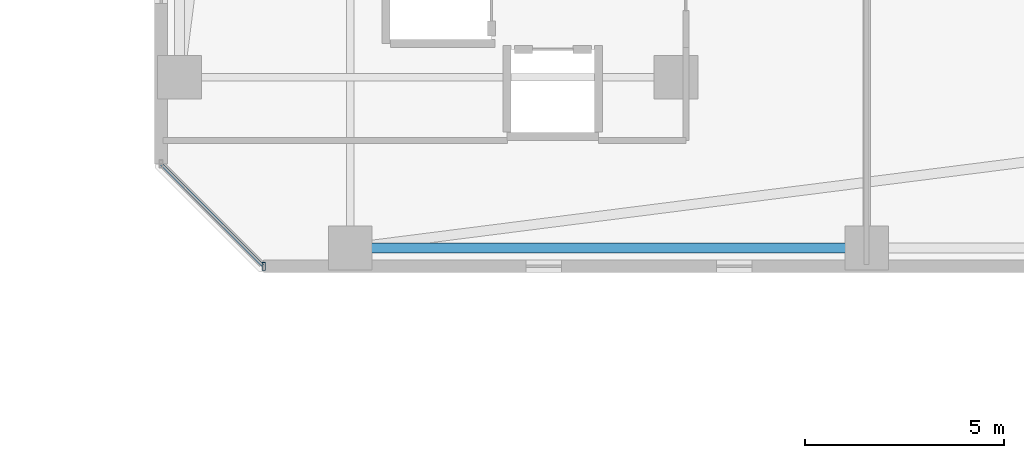
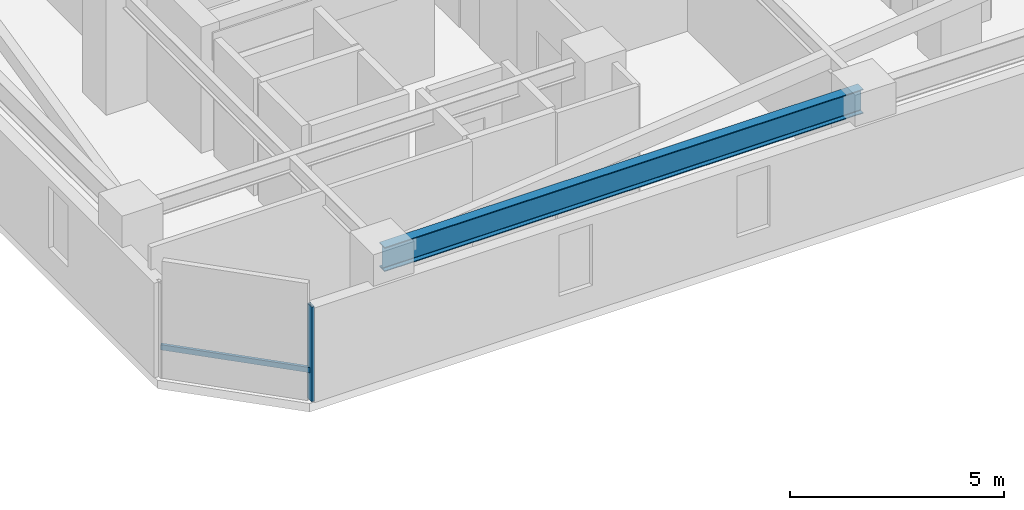
# One storey, part 12 of 33: 2 members, 1 beam, 1 element without a shape of its own.
"""IFC4 building model written with IfcOpenShell, lengths in metres."""

import ifcopenshell
import ifcopenshell.guid

model = None  # the IFC model being written
_history = None  # IfcOwnerHistory: only IFC2X3 demands one
_inside = {}  # id of a spatial element -> (the spatial element, [elements in it])
_under = {}  # id of a project, library or spatial element -> (it, [spatial elements below it])
_declared = {}  # id of a project -> (the project, [libraries it declares])
_typed = {}  # id of a type object -> (the type object, [elements of that type])
_made_of = {}  # id of a material, layer set ... -> (it, [elements and type objects made of it])


def new_model(schema):
    """Start an empty IFC model of exactly this schema.

    Asked for "IFC4X3", IfcOpenShell would pick the latest addendum, in which some entities
    have other attributes; the version numbers below select the first issue.
    IFC2X3 requires an IfcOwnerHistory on every rooted entity: one is made here for all.
    """
    global model, _history
    if schema == "IFC4X3":
        model = ifcopenshell.file(schema_version=(4, 3, 0, 0))
    else:
        model = ifcopenshell.file(schema=schema)
    _inside.clear()
    _under.clear()
    _declared.clear()
    _typed.clear()
    _made_of.clear()
    _history = None
    if model.schema == "IFC2X3":
        org = make("IfcOrganization", Name="unknown")
        user = make(
            "IfcPersonAndOrganization",
            ThePerson=make("IfcPerson", FamilyName="unknown"),
            TheOrganization=org,
        )
        app = make(
            "IfcApplication",
            ApplicationDeveloper=org,
            Version="unknown",
            ApplicationFullName="unknown",
            ApplicationIdentifier="unknown",
        )
        _history = make(
            "IfcOwnerHistory",
            OwningUser=user,
            OwningApplication=app,
            ChangeAction="ADDED",
            CreationDate=0,
        )
    return model


def make(cls, **values):
    """One entity of the class cls with the attributes given. An attribute that is None is left unset."""
    return model.create_entity(
        cls, **{name: value for name, value in values.items() if value is not None}
    )


def rooted(cls, **values):
    """An entity with a GlobalId (a new one), such as an element, a storey or a relation."""
    return make(cls, GlobalId=ifcopenshell.guid.new(), OwnerHistory=_history, **values)


def si_unit(unit_type, name, prefix=None):
    """IfcSIUnit, for example si_unit("LENGTHUNIT", "METRE", prefix="MILLI")."""
    return make("IfcSIUnit", UnitType=unit_type, Prefix=prefix, Name=name)


def assignment(units):
    """IfcUnitAssignment: the units of a project."""
    return None if units is None else make("IfcUnitAssignment", Units=units)


def point(xyz):
    """IfcCartesianPoint."""
    return None if xyz is None else make("IfcCartesianPoint", Coordinates=xyz)


def direction(xyz):
    """IfcDirection."""
    return None if xyz is None else make("IfcDirection", DirectionRatios=xyz)


def frame(location, z_axis=None, x_axis=None):
    """IfcAxis2Placement3D, a coordinate frame: its origin and axes. An axis left out is left unset."""
    return make(
        "IfcAxis2Placement3D",
        Location=point(location),
        Axis=direction(z_axis),
        RefDirection=direction(x_axis),
    )


def frame_2d(location, x_axis=None):
    """IfcAxis2Placement2D, a coordinate frame in the plane: its origin and x axis."""
    return make(
        "IfcAxis2Placement2D", Location=point(location), RefDirection=direction(x_axis)
    )


def origin():
    """The frame at (0, 0, 0) with its axes left unset."""
    return frame((0.0, 0.0, 0.0))


def origin_2d():
    """The frame at (0, 0) in the plane with its x axis left unset."""
    return frame_2d((0.0, 0.0))


def place(relative_to, where):
    """IfcLocalPlacement: puts the frame where relative to a parent placement (None: the world)."""
    return make(
        "IfcLocalPlacement", PlacementRelTo=relative_to, RelativePlacement=where
    )


def context(
    kind, dimensions, precision=None, world=None, true_north=None, identifier=None
):
    """IfcGeometricRepresentationContext, for example the 3D "Model" context."""
    return make(
        "IfcGeometricRepresentationContext",
        ContextIdentifier=identifier,
        ContextType=kind,
        CoordinateSpaceDimension=dimensions,
        Precision=precision,
        WorldCoordinateSystem=world,
        TrueNorth=true_north,
    )


def subcontext(parent, identifier, kind, view, scale=None):
    """IfcGeometricRepresentationSubContext, for example "Body" below "Model"."""
    return make(
        "IfcGeometricRepresentationSubContext",
        ContextIdentifier=identifier,
        ContextType=kind,
        ParentContext=parent,
        TargetScale=scale,
        TargetView=view,
    )


def project(units=None, contexts=None):
    """IfcProject with its units and contexts."""
    return rooted(
        "IfcProject",
        Name="project",
        RepresentationContexts=contexts,
        UnitsInContext=assignment(units),
    )


def spatial(cls, under=None, at=None, **own):
    """A site, building, storey or space (cls), placed at a placement, below another one or the project."""
    s = rooted(cls, ObjectPlacement=at, **own)
    if under is not None:
        _under.setdefault(under.id(), (under, []))[1].append(s)
    return s


def profile(cls, at=None, kind="AREA", **sizes):
    """A parametric profile (cls). Its sizes go by their IFC names, for example OverallWidth=200.0."""
    return make(cls, ProfileType=kind, Position=at, **sizes)


def hollow_rectangle(**sizes):
    """IfcRectangleHollowProfileDef."""
    return profile("IfcRectangleHollowProfileDef", **sizes)


def i_section(**sizes):
    """IfcIShapeProfileDef."""
    return profile("IfcIShapeProfileDef", **sizes)


def extrude(swept, where, along, depth):
    """IfcExtrudedAreaSolid: the profile swept, set in the frame where, extruded along a direction by depth."""
    return make(
        "IfcExtrudedAreaSolid",
        SweptArea=swept,
        Position=where,
        ExtrudedDirection=direction(along),
        Depth=depth,
    )


def shape(context_of_items, identifier, shape_type, items):
    """IfcShapeRepresentation: the items that make up one representation, for example the "Body"."""
    return make(
        "IfcShapeRepresentation",
        ContextOfItems=context_of_items,
        RepresentationIdentifier=identifier,
        RepresentationType=shape_type,
        Items=items,
    )


def material(Name=None, Category=None):
    """IfcMaterial."""
    return make("IfcMaterial", Name=Name, Category=Category)


def material_profile(
    of_material, cross_section, Name=None, Category=None, Priority=None
):
    """IfcMaterialProfile: a cross section and its material."""
    return make(
        "IfcMaterialProfile",
        Name=Name,
        Material=of_material,
        Profile=cross_section,
        Priority=Priority,
        Category=Category,
    )


def profile_set(profiles, Name=None, composite=None):
    """IfcMaterialProfileSet."""
    return make(
        "IfcMaterialProfileSet",
        Name=Name,
        MaterialProfiles=profiles,
        CompositeProfile=composite,
    )


def made_of(thing, what):
    """Note that an element or type object is made of a material, layer set ...; save() writes the relation."""
    if what is not None:
        _made_of.setdefault(what.id(), (what, []))[1].append(thing)
    return thing


def type_object(cls, material=None, **own):
    """A type object (cls), such as IfcWallType, which elements share."""
    return made_of(rooted(cls, **own), material)


def element(
    cls,
    number,
    at=None,
    inside=None,
    cuts=None,
    type_object=None,
    material=None,
    context=None,
    identifier="Body",
    shape_type=None,
    held_by="IfcProductDefinitionShape",
    body=None,
    shapes=None,
    **own,
):
    """One element of the class cls, such as IfcWall. Its Tag is "e" and its number.

    at: its placement. inside: the storey or other place that contains it. cuts: it is an
    opening in that element (IfcRelVoidsElement). A single representation is given by context,
    identifier, shape_type and body (its items); several are given by shapes. held_by: the class
    of the entity that holds the representations. save() writes the other relations.
    """
    e = rooted(cls, Tag="e%d" % number, ObjectPlacement=at, **own)
    if body is not None:
        shapes = [shape(context, identifier, shape_type, body)]
    if shapes is not None:
        e.Representation = make(held_by, Representations=shapes)
    if inside is not None:
        _inside.setdefault(inside.id(), (inside, []))[1].append(e)
    if cuts is not None:
        rooted(
            "IfcRelVoidsElement", RelatingBuildingElement=cuts, RelatedOpeningElement=e
        )
    if type_object is not None:
        _typed.setdefault(type_object.id(), (type_object, []))[1].append(e)
    return made_of(e, material)


def aggregate(whole, parts):
    """IfcRelAggregates: a whole, such as a stair, and the parts it consists of."""
    return rooted("IfcRelAggregates", RelatingObject=whole, RelatedObjects=parts)


def save(model, path):
    """Write the relations noted so far, then the file.

    IfcRelAggregates (storeys below a building ...), IfcRelContainedInSpatialStructure (elements
    in a storey), IfcRelDefinesByType, IfcRelAssociatesMaterial and IfcRelDeclares: one each for
    every whole, place, type object, material and project.
    """
    for whole, parts in _under.values():
        aggregate(whole, parts)
    for where, things in _inside.values():
        rooted(
            "IfcRelContainedInSpatialStructure",
            RelatedElements=things,
            RelatingStructure=where,
        )
    for kind, things in _typed.values():
        rooted("IfcRelDefinesByType", RelatedObjects=things, RelatingType=kind)
    for what, things in _made_of.values():
        rooted("IfcRelAssociatesMaterial", RelatedObjects=things, RelatingMaterial=what)
    for by, libraries in _declared.values():
        rooted("IfcRelDeclares", RelatingContext=by, RelatedDefinitions=libraries)
    model.write(path)


model = new_model("IFC4")

# Units and contexts
model_context = context("Model", 3, precision=1e-05, world=origin(), true_north=direction((0.0, 1.0)))
body_context = subcontext(model_context, "Body", "Model", "MODEL_VIEW")
ifc_project = project(units=[si_unit("LENGTHUNIT", "METRE"), si_unit("AREAUNIT", "SQUARE_METRE"), si_unit("VOLUMEUNIT", "CUBIC_METRE"), si_unit("PLANEANGLEUNIT", "RADIAN"), si_unit("MASSUNIT", "GRAM", prefix="KILO")], contexts=[model_context])

# Site, building, storey
site_placement = place(None, origin())
site = spatial("IfcSite", under=ifc_project, at=site_placement, CompositionType="ELEMENT")
building_placement = place(site_placement, origin())
building = spatial("IfcBuilding", under=site, at=building_placement, Name="Thornwick Lancets Civic Towers", CompositionType="ELEMENT")
storey_placement = place(building_placement, frame((0.0, 0.0, 159.89990234375)))
storey = spatial("IfcBuildingStorey", under=building, at=storey_placement, Name="L42", CompositionType="ELEMENT", Elevation=159.89990234375)

# Beam
ifc_material_1 = material(Name="Steel S355JR", Category="steel")
ifc_material_profile_1 = material_profile(ifc_material_1, i_section(OverallWidth=0.255859375, OverallDepth=0.69287109375, WebThickness=0.014404296875, FlangeThickness=0.023681640625, FilletRadius=0.01513671875, at=origin_2d()), Name="UKB 686x254x170")
ifc_profile_set_1 = profile_set([ifc_material_profile_1], Name="Steel S355JR")
beam_type = type_object("IfcBeamType", Name="BM_GIRD_686_170", PredefinedType="BEAM", material=ifc_profile_set_1)
beam_placement = place(storey_placement, frame((88.419921875, 9.699951171875, 3.013671875), z_axis=(-1.0, 0.0, 0.0), x_axis=(0.0, -1.0, 0.0)))
element("IfcBeam", 1, at=beam_placement, inside=storey, type_object=beam_type, Name="BM-SPINE-L42-B-10-11", PredefinedType="BEAM", context=body_context, shape_type="SweptSolid", body=[
    extrude(i_section(OverallWidth=0.255859375, OverallDepth=0.69287109375, WebThickness=0.014404296875, FlangeThickness=0.023681640625, FilletRadius=0.01513671875, at=origin_2d()), origin(), (0.0, 0.0, 1.0), 12.919921875),
])

# Curtain wall, members
ifc_material_2 = material(Name="Mid-zone chamfered-corner unitised glass curtain wall", Category="glass")
curtain_wall_type = type_object("IfcCurtainWallType", Name="CW_SYS_04", PredefinedType="NOTDEFINED", material=ifc_material_2)
curtain_wall_placement = place(storey_placement, origin())
curtain_wall = element("IfcCurtainWall", 2, at=curtain_wall_placement, inside=storey, type_object=curtain_wall_type, Name="L42 Curtain Wall CW-L42-B-E7", PredefinedType="NOTDEFINED")
ifc_material_3 = material(Name="Thermally broken bronze aluminium S355", Category="steel")
ifc_material_profile_2 = material_profile(ifc_material_3, hollow_rectangle(XDim=0.080078125, YDim=0.199951171875, WallThickness=0.006103515625, at=origin_2d()), Name="RHS 200x80x6")
ifc_profile_set_2 = profile_set([ifc_material_profile_2], Name="Thermally broken bronze aluminium S355")
member_type_1 = type_object("IfcMemberType", Name="CW_MUL_200", PredefinedType="MULLION", material=ifc_profile_set_2)
member_1_placement = place(storey_placement, frame((73.318603515625, 9.2353515625, 0.0), z_axis=(0.0, 0.0, 1.0), x_axis=(1.0, 0.0, 0.0)))
member_1 = element("IfcMember", 3, at=member_1_placement, type_object=member_type_1, Name="CW-L42-B-E7 Mullion 1", PredefinedType="MULLION", context=body_context, shape_type="SweptSolid", body=[
    extrude(hollow_rectangle(XDim=0.080078125, YDim=0.199951171875, WallThickness=0.006103515625, at=origin_2d()), origin(), (0.0, 0.0, 1.0), 2.7001953125),
])
ifc_material_profile_3 = material_profile(ifc_material_3, hollow_rectangle(XDim=0.074951171875, YDim=0.14990234375, WallThickness=0.0048828125, at=origin_2d()), Name="RHS 150x75x5")
ifc_profile_set_3 = profile_set([ifc_material_profile_3], Name="Thermally broken bronze aluminium S355")
member_type_2 = type_object("IfcMemberType", Name="CW_TRN_150", PredefinedType="USERDEFINED", material=ifc_profile_set_3)
member_2_placement = place(storey_placement, frame((70.74951171875, 11.804443359375, 0.85009765625), z_axis=(0.707106781187, -0.707106781187, 0.0), x_axis=(0.707106781187, 0.707106781187, 0.0)))
member_2 = element("IfcMember", 4, at=member_2_placement, type_object=member_type_2, Name="CW-L42-B-E7 Transom 0", ObjectType="TRANSOM", PredefinedType="USERDEFINED", context=body_context, shape_type="SweptSolid", body=[
    extrude(hollow_rectangle(XDim=0.074951171875, YDim=0.14990234375, WallThickness=0.0048828125, at=origin_2d()), origin(), (0.0, 0.0, 1.0), 3.61328125),
])
aggregate(curtain_wall, [member_1, member_2])

save(model, "model.ifc")
